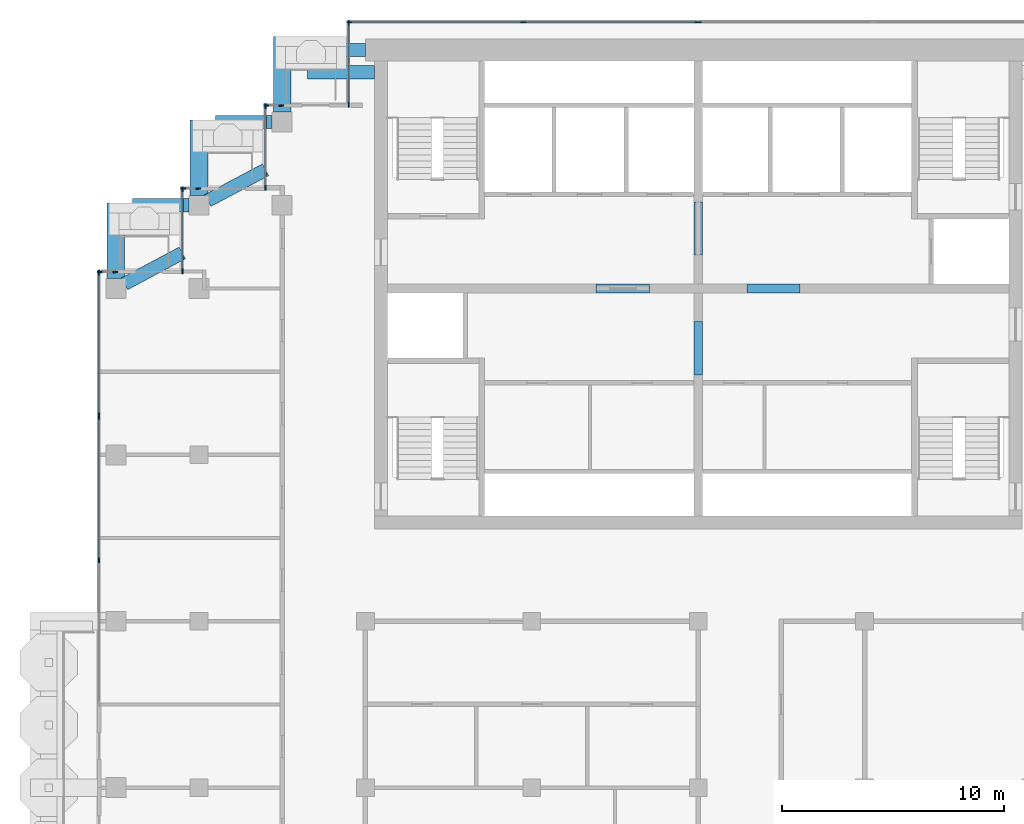
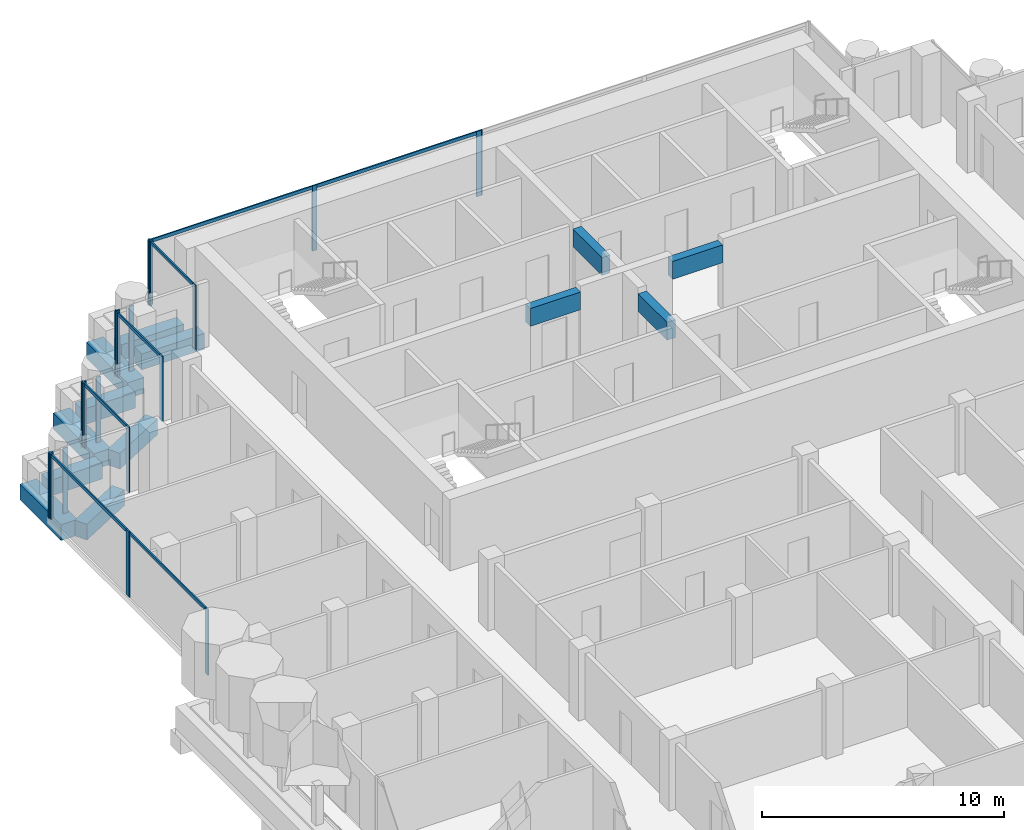
# One storey, part 5 of 19: 27 members, 13 beams, 10 elements without a shape of their own.
"""IFC4 building model written with IfcOpenShell, lengths in metres."""

from ifc_helpers import new_model, si_unit, direction, frame, origin, origin_2d, place, context, subcontext, project, spatial, rectangle, extrude, material, material_profile, profile_set, type_object, element, aggregate, save


model = new_model("IFC4")

# Units and contexts
model_context = context("Model", 3, precision=1e-05, world=origin(), true_north=direction((0.0, 1.0)))
body_context = subcontext(model_context, "Body", "Model", "MODEL_VIEW")
ifc_project = project(units=[si_unit("LENGTHUNIT", "METRE"), si_unit("AREAUNIT", "SQUARE_METRE"), si_unit("VOLUMEUNIT", "CUBIC_METRE"), si_unit("PLANEANGLEUNIT", "RADIAN"), si_unit("MASSUNIT", "GRAM", prefix="KILO")], contexts=[model_context])

# Site, building, storey
site_placement = place(None, origin())
site = spatial("IfcSite", under=ifc_project, at=site_placement, CompositionType="ELEMENT")
building_placement = place(site_placement, origin())
building = spatial("IfcBuilding", under=site, at=building_placement, Name="Pilkhan Gate Tower", CompositionType="ELEMENT")
storey_placement = place(building_placement, frame((0.0, 0.0, 246.300048828125)))
storey = spatial("IfcBuildingStorey", under=building, at=storey_placement, Name="L64", CompositionType="ELEMENT", Elevation=246.300048828125)

# Beams
ifc_material_1 = material(Name="Concrete C50/60", Category="concrete")
ifc_material_profile_1 = material_profile(ifc_material_1, rectangle(XDim=0.60009765625, YDim=0.800048828125, at=origin_2d()), Name="RC 600x800")
ifc_profile_set_1 = profile_set([ifc_material_profile_1], Name="Concrete C50/60")
beam_type_1 = type_object("IfcBeamType", Name="Cantilever beam CB1 RC 600x800 C50/60", PredefinedType="BEAM", material=ifc_profile_set_1)
for number, where, z_axis, x_axis, name in (
    (1, (60.0, 93.25, -0.699951171875), (-1.0, 0.0, 0.0), (0.0, -1.0, 0.0), "Balcony beam NW.2 L64"),
    (2, (60.39990234375, 92.25, -0.699951171875), (-1.0, 0.0, 0.0), (0.0, -1.0, 0.0), "Balcony beam NW.3 L64"),
):
    element("IfcBeam", number, at=place(storey_placement, frame(where, z_axis=z_axis, x_axis=x_axis)), inside=storey, type_object=beam_type_1, Name=name, PredefinedType="BEAM", context=body_context, shape_type="SweptSolid", body=[
        extrude(rectangle(XDim=0.60009765625, YDim=0.800048828125, at=origin_2d()), origin(), (0.0, 0.0, 1.0), 3.0),
    ])
beam_1_placement = place(storey_placement, frame((55.800048828125, 90.0, -0.699951171875), z_axis=(-1.0, 0.0, 0.0), x_axis=(0.0, -1.0, 0.0)))
element("IfcBeam", 3, at=beam_1_placement, inside=storey, type_object=beam_type_1, Name="Balcony beam NW1.2 L64", PredefinedType="BEAM", context=body_context, shape_type="SweptSolid", body=[
    extrude(rectangle(XDim=0.60009765625, YDim=0.800048828125, at=origin_2d()), origin(), (0.0, 0.0, 1.0), 2.550048828125),
])
beam_2_placement = place(storey_placement, frame((52.89697265625, 86.461669921875, -0.699951171875), z_axis=(0.882332323202, 0.470626891957, 0.0), x_axis=(-0.470626891957, 0.882332323202, 0.0)))
element("IfcBeam", 4, at=beam_2_placement, inside=storey, type_object=beam_type_1, Name="Balcony beam NW1.3 L64", PredefinedType="BEAM", context=body_context, shape_type="SweptSolid", body=[
    extrude(rectangle(XDim=0.60009765625, YDim=0.800048828125, at=origin_2d()), origin(), (0.0, 0.0, 1.0), 2.9501953125),
])
beam_3_placement = place(storey_placement, frame((52.050048828125, 86.25, -0.699951171875), z_axis=(-1.0, 0.0, 0.0), x_axis=(0.0, -1.0, 0.0)))
element("IfcBeam", 5, at=beam_3_placement, inside=storey, type_object=beam_type_1, Name="Balcony beam NW2.2 L64", PredefinedType="BEAM", context=body_context, shape_type="SweptSolid", body=[
    extrude(rectangle(XDim=0.60009765625, YDim=0.800048828125, at=origin_2d()), origin(), (0.0, 0.0, 1.0), 2.550048828125),
])
beam_4_placement = place(storey_placement, frame((49.14697265625, 82.711669921875, -0.699951171875), z_axis=(0.882332323202, 0.470626891957, 0.0), x_axis=(-0.470626891957, 0.882332323202, 0.0)))
element("IfcBeam", 6, at=beam_4_placement, inside=storey, type_object=beam_type_1, Name="Balcony beam NW2.3 L64", PredefinedType="BEAM", context=body_context, shape_type="SweptSolid", body=[
    extrude(rectangle(XDim=0.60009765625, YDim=0.800048828125, at=origin_2d()), origin(), (0.0, 0.0, 1.0), 2.9501953125),
])
ifc_material_profile_2 = material_profile(ifc_material_1, rectangle(XDim=0.800048828125, YDim=0.800048828125, at=origin_2d()), Name="RC 800x800")
ifc_profile_set_2 = profile_set([ifc_material_profile_2], Name="Concrete C50/60")
beam_type_2 = type_object("IfcBeamType", Name="Cantilever beam CB2 RC 800x800 C50/60", PredefinedType="BEAM", material=ifc_profile_set_2)
for number, where, z_axis, x_axis, name in (
    (7, (56.25, 90.449951171875, -0.699951171875), (0.0, 1.0, 0.0), (-1.0, 0.0, 0.0), "Balcony beam NW.1 L64"),
    (8, (52.5, 86.699951171875, -0.699951171875), (0.0, 1.0, 0.0), (-1.0, 0.0, 0.0), "Balcony beam NW1.1 L64"),
    (9, (48.75, 82.949951171875, -0.699951171875), (0.0, 1.0, 0.0), (-1.0, 0.0, 0.0), "Balcony beam NW2.1 L64"),
):
    element("IfcBeam", number, at=place(storey_placement, frame(where, z_axis=z_axis, x_axis=x_axis)), inside=storey, type_object=beam_type_2, Name=name, PredefinedType="BEAM", context=body_context, shape_type="SweptSolid", body=[
        extrude(rectangle(XDim=0.800048828125, YDim=0.800048828125, at=origin_2d()), origin(), (0.0, 0.0, 1.0), 3.400146484375),
    ])
ifc_material_profile_3 = material_profile(ifc_material_1, rectangle(XDim=0.39990234375, YDim=0.89990234375, at=origin_2d()), Name="RC 400x900")
ifc_profile_set_3 = profile_set([ifc_material_profile_3], Name="Concrete C50/60")
beam_type_3 = type_object("IfcBeamType", Name="Coupling beam CB90-4 RC 400x900 C50/60", PredefinedType="LINTEL", material=ifc_profile_set_3)
for number, where, z_axis, x_axis, name in (
    (10, (70.39990234375, 82.5, 2.849853515625), (1.0, 0.0, 0.0), (0.0, 1.0, 0.0), "Coupling beam 1 L64"),
    (11, (77.199951171875, 82.5, 2.849853515625), (1.0, 0.0, 0.0), (0.0, 1.0, 0.0), "Coupling beam 2 L64"),
):
    element("IfcBeam", number, at=place(storey_placement, frame(where, z_axis=z_axis, x_axis=x_axis)), inside=storey, type_object=beam_type_3, Name=name, PredefinedType="LINTEL", context=body_context, shape_type="SweptSolid", body=[
        extrude(rectangle(XDim=0.39990234375, YDim=0.89990234375, at=origin_2d()), origin(), (0.0, 0.0, 1.0), 2.400146484375),
    ])
for number, where, z_axis, x_axis, name in (
    (12, (75.0, 78.60009765625, 2.849853515625), (0.0, 1.0, 0.0), (-1.0, 0.0, 0.0), "Coupling beam 3 L64"),
    (13, (75.0, 84.0, 2.849853515625), (0.0, 1.0, 0.0), (-1.0, 0.0, 0.0), "Coupling beam 4 L64"),
):
    element("IfcBeam", number, at=place(storey_placement, frame(where, z_axis=z_axis, x_axis=x_axis)), inside=storey, type_object=beam_type_3, Name=name, PredefinedType="LINTEL", context=body_context, shape_type="SweptSolid", body=[
        extrude(rectangle(XDim=0.39990234375, YDim=0.89990234375, at=origin_2d()), origin(), (0.0, 0.0, 1.0), 2.39990234375),
    ])

# Curtain wall, members
ifc_material_2 = material(Name="Pale anodised aluminium, clear low-iron double glazing", Category="aluminium")
curtain_wall_type = type_object("IfcCurtainWallType", Name="Office unitised curtain wall CW-O2", PredefinedType="USERDEFINED", material=ifc_material_2)
curtain_wall_1_placement = place(storey_placement, origin())
curtain_wall_1 = element("IfcCurtainWall", 14, at=curtain_wall_1_placement, inside=storey, type_object=curtain_wall_type, Name="Office unitised curtain wall CW-O2 L64 N", ObjectType="UNITISED CURTAIN WALL", PredefinedType="USERDEFINED")
ifc_material_3 = material(Name="Pale anodised aluminium", Category="aluminium")
ifc_material_profile_4 = material_profile(ifc_material_3, rectangle(XDim=0.06494140625, YDim=0.22509765625, at=origin_2d()), Name="Mullion 225x65")
ifc_profile_set_4 = profile_set([ifc_material_profile_4], Name="Pale anodised aluminium")
member_type_1 = type_object("IfcMemberType", Name="Mullion CW-O2 225x65", PredefinedType="MULLION", material=ifc_profile_set_4)
member_1_placement = place(storey_placement, frame((59.282470703125, 94.5, 0.0), z_axis=(0.0, 0.0, 1.0), x_axis=(0.0, 1.0, 0.0)))
member_1 = element("IfcMember", 15, at=member_1_placement, type_object=member_type_1, Name="CW-O2 mullion 1", PredefinedType="MULLION", context=body_context, shape_type="SweptSolid", body=[
    extrude(rectangle(XDim=0.06494140625, YDim=0.22509765625, at=origin_2d()), origin(), (0.0, 0.0, 1.0), 3.300048828125),
])
member_2_placement = place(storey_placement, frame((67.125, 94.5, 0.0), z_axis=(0.0, 0.0, 1.0), x_axis=(0.0, 1.0, 0.0)))
member_2 = element("IfcMember", 16, at=member_2_placement, type_object=member_type_1, Name="CW-O2 mullion 2", PredefinedType="MULLION", context=body_context, shape_type="SweptSolid", body=[
    extrude(rectangle(XDim=0.06494140625, YDim=0.22509765625, at=origin_2d()), origin(), (0.0, 0.0, 1.0), 3.300048828125),
])
member_3_placement = place(storey_placement, frame((74.967529296875, 94.5, 0.0), z_axis=(0.0, 0.0, 1.0), x_axis=(0.0, 1.0, 0.0)))
member_3 = element("IfcMember", 17, at=member_3_placement, type_object=member_type_1, Name="CW-O2 mullion 3", PredefinedType="MULLION", context=body_context, shape_type="SweptSolid", body=[
    extrude(rectangle(XDim=0.06494140625, YDim=0.22509765625, at=origin_2d()), origin(), (0.0, 0.0, 1.0), 3.300048828125),
])

# Curtain wall, member
curtain_wall_2_placement = place(storey_placement, origin())
curtain_wall_2 = element("IfcCurtainWall", 18, at=curtain_wall_2_placement, inside=storey, type_object=curtain_wall_type, Name="Office unitised curtain wall CW-O2 L64 N", ObjectType="UNITISED CURTAIN WALL", PredefinedType="USERDEFINED")
member_4_placement = place(storey_placement, frame((75.032470703125, 94.5, 0.0), z_axis=(0.0, 0.0, 1.0), x_axis=(0.0, 1.0, 0.0)))
member_4 = element("IfcMember", 19, at=member_4_placement, type_object=member_type_1, Name="CW-O2 mullion 1", PredefinedType="MULLION", context=body_context, shape_type="SweptSolid", body=[
    extrude(rectangle(XDim=0.06494140625, YDim=0.22509765625, at=origin_2d()), origin(), (0.0, 0.0, 1.0), 3.300048828125),
])
aggregate(curtain_wall_2, [member_4])

# Curtain wall, members
curtain_wall_3_placement = place(storey_placement, origin())
curtain_wall_3 = element("IfcCurtainWall", 20, at=curtain_wall_3_placement, inside=storey, type_object=curtain_wall_type, Name="Office unitised curtain wall CW-O2 L64 W", ObjectType="UNITISED CURTAIN WALL", PredefinedType="USERDEFINED")
member_5_placement = place(storey_placement, frame((59.25, 90.782470703125, 0.0), z_axis=(0.0, 0.0, 1.0), x_axis=(-1.0, 0.0, 0.0)))
member_5 = element("IfcMember", 21, at=member_5_placement, type_object=member_type_1, Name="CW-O2 mullion 1", PredefinedType="MULLION", context=body_context, shape_type="SweptSolid", body=[
    extrude(rectangle(XDim=0.06494140625, YDim=0.22509765625, at=origin_2d()), origin(), (0.0, 0.0, 1.0), 3.300048828125),
])
member_6_placement = place(storey_placement, frame((59.25, 94.467529296875, 0.0), z_axis=(0.0, 0.0, 1.0), x_axis=(-1.0, 0.0, 0.0)))
member_6 = element("IfcMember", 22, at=member_6_placement, type_object=member_type_1, Name="CW-O2 mullion 2", PredefinedType="MULLION", context=body_context, shape_type="SweptSolid", body=[
    extrude(rectangle(XDim=0.06494140625, YDim=0.22509765625, at=origin_2d()), origin(), (0.0, 0.0, 1.0), 3.300048828125),
])

curtain_wall_4_placement = place(storey_placement, origin())
curtain_wall_4 = element("IfcCurtainWall", 23, at=curtain_wall_4_placement, inside=storey, type_object=curtain_wall_type, Name="Office unitised curtain wall CW-O2 L64 N", ObjectType="UNITISED CURTAIN WALL", PredefinedType="USERDEFINED")
member_7_placement = place(storey_placement, frame((55.532470703125, 90.75, 0.0), z_axis=(0.0, 0.0, 1.0), x_axis=(0.0, 1.0, 0.0)))
member_7 = element("IfcMember", 24, at=member_7_placement, type_object=member_type_1, Name="CW-O2 mullion 1", PredefinedType="MULLION", context=body_context, shape_type="SweptSolid", body=[
    extrude(rectangle(XDim=0.06494140625, YDim=0.22509765625, at=origin_2d()), origin(), (0.0, 0.0, 1.0), 3.300048828125),
])
member_8_placement = place(storey_placement, frame((56.217529296875, 90.75, 0.0), z_axis=(0.0, 0.0, 1.0), x_axis=(0.0, 1.0, 0.0)))
member_8 = element("IfcMember", 25, at=member_8_placement, type_object=member_type_1, Name="CW-O2 mullion 2", PredefinedType="MULLION", context=body_context, shape_type="SweptSolid", body=[
    extrude(rectangle(XDim=0.06494140625, YDim=0.22509765625, at=origin_2d()), origin(), (0.0, 0.0, 1.0), 3.300048828125),
])
aggregate(curtain_wall_4, [member_7, member_8])

curtain_wall_5_placement = place(storey_placement, origin())
curtain_wall_5 = element("IfcCurtainWall", 26, at=curtain_wall_5_placement, inside=storey, type_object=curtain_wall_type, Name="Office unitised curtain wall CW-O2 L64 W", ObjectType="UNITISED CURTAIN WALL", PredefinedType="USERDEFINED")
member_9_placement = place(storey_placement, frame((55.5, 87.032470703125, 0.0), z_axis=(0.0, 0.0, 1.0), x_axis=(-1.0, 0.0, 0.0)))
member_9 = element("IfcMember", 27, at=member_9_placement, type_object=member_type_1, Name="CW-O2 mullion 1", PredefinedType="MULLION", context=body_context, shape_type="SweptSolid", body=[
    extrude(rectangle(XDim=0.06494140625, YDim=0.22509765625, at=origin_2d()), origin(), (0.0, 0.0, 1.0), 3.300048828125),
])
member_10_placement = place(storey_placement, frame((55.5, 90.717529296875, 0.0), z_axis=(0.0, 0.0, 1.0), x_axis=(-1.0, 0.0, 0.0)))
member_10 = element("IfcMember", 28, at=member_10_placement, type_object=member_type_1, Name="CW-O2 mullion 2", PredefinedType="MULLION", context=body_context, shape_type="SweptSolid", body=[
    extrude(rectangle(XDim=0.06494140625, YDim=0.22509765625, at=origin_2d()), origin(), (0.0, 0.0, 1.0), 3.300048828125),
])

curtain_wall_6_placement = place(storey_placement, origin())
curtain_wall_6 = element("IfcCurtainWall", 29, at=curtain_wall_6_placement, inside=storey, type_object=curtain_wall_type, Name="Office unitised curtain wall CW-O2 L64 N", ObjectType="UNITISED CURTAIN WALL", PredefinedType="USERDEFINED")
member_11_placement = place(storey_placement, frame((51.782470703125, 87.0, 0.0), z_axis=(0.0, 0.0, 1.0), x_axis=(0.0, 1.0, 0.0)))
member_11 = element("IfcMember", 30, at=member_11_placement, type_object=member_type_1, Name="CW-O2 mullion 1", PredefinedType="MULLION", context=body_context, shape_type="SweptSolid", body=[
    extrude(rectangle(XDim=0.06494140625, YDim=0.22509765625, at=origin_2d()), origin(), (0.0, 0.0, 1.0), 3.300048828125),
])
member_12_placement = place(storey_placement, frame((52.467529296875, 87.0, 0.0), z_axis=(0.0, 0.0, 1.0), x_axis=(0.0, 1.0, 0.0)))
member_12 = element("IfcMember", 31, at=member_12_placement, type_object=member_type_1, Name="CW-O2 mullion 2", PredefinedType="MULLION", context=body_context, shape_type="SweptSolid", body=[
    extrude(rectangle(XDim=0.06494140625, YDim=0.22509765625, at=origin_2d()), origin(), (0.0, 0.0, 1.0), 3.300048828125),
])
aggregate(curtain_wall_6, [member_11, member_12])

curtain_wall_7_placement = place(storey_placement, origin())
curtain_wall_7 = element("IfcCurtainWall", 32, at=curtain_wall_7_placement, inside=storey, type_object=curtain_wall_type, Name="Office unitised curtain wall CW-O2 L64 W", ObjectType="UNITISED CURTAIN WALL", PredefinedType="USERDEFINED")
member_13_placement = place(storey_placement, frame((51.75, 83.282470703125, 0.0), z_axis=(0.0, 0.0, 1.0), x_axis=(-1.0, 0.0, 0.0)))
member_13 = element("IfcMember", 33, at=member_13_placement, type_object=member_type_1, Name="CW-O2 mullion 1", PredefinedType="MULLION", context=body_context, shape_type="SweptSolid", body=[
    extrude(rectangle(XDim=0.06494140625, YDim=0.22509765625, at=origin_2d()), origin(), (0.0, 0.0, 1.0), 3.300048828125),
])
member_14_placement = place(storey_placement, frame((51.75, 86.967529296875, 0.0), z_axis=(0.0, 0.0, 1.0), x_axis=(-1.0, 0.0, 0.0)))
member_14 = element("IfcMember", 34, at=member_14_placement, type_object=member_type_1, Name="CW-O2 mullion 2", PredefinedType="MULLION", context=body_context, shape_type="SweptSolid", body=[
    extrude(rectangle(XDim=0.06494140625, YDim=0.22509765625, at=origin_2d()), origin(), (0.0, 0.0, 1.0), 3.300048828125),
])

curtain_wall_8_placement = place(storey_placement, origin())
curtain_wall_8 = element("IfcCurtainWall", 35, at=curtain_wall_8_placement, inside=storey, type_object=curtain_wall_type, Name="Office unitised curtain wall CW-O2 L64 N", ObjectType="UNITISED CURTAIN WALL", PredefinedType="USERDEFINED")
member_15_placement = place(storey_placement, frame((48.032470703125, 83.25, 0.0), z_axis=(0.0, 0.0, 1.0), x_axis=(0.0, 1.0, 0.0)))
member_15 = element("IfcMember", 36, at=member_15_placement, type_object=member_type_1, Name="CW-O2 mullion 1", PredefinedType="MULLION", context=body_context, shape_type="SweptSolid", body=[
    extrude(rectangle(XDim=0.06494140625, YDim=0.22509765625, at=origin_2d()), origin(), (0.0, 0.0, 1.0), 3.300048828125),
])
member_16_placement = place(storey_placement, frame((48.717529296875, 83.25, 0.0), z_axis=(0.0, 0.0, 1.0), x_axis=(0.0, 1.0, 0.0)))
member_16 = element("IfcMember", 37, at=member_16_placement, type_object=member_type_1, Name="CW-O2 mullion 2", PredefinedType="MULLION", context=body_context, shape_type="SweptSolid", body=[
    extrude(rectangle(XDim=0.06494140625, YDim=0.22509765625, at=origin_2d()), origin(), (0.0, 0.0, 1.0), 3.300048828125),
])
aggregate(curtain_wall_8, [member_15, member_16])

curtain_wall_9_placement = place(storey_placement, origin())
curtain_wall_9 = element("IfcCurtainWall", 38, at=curtain_wall_9_placement, inside=storey, type_object=curtain_wall_type, Name="Office unitised curtain wall CW-O2 L64 W", ObjectType="UNITISED CURTAIN WALL", PredefinedType="USERDEFINED")
member_17_placement = place(storey_placement, frame((48.0, 70.25, 0.0), z_axis=(0.0, 0.0, 1.0), x_axis=(-1.0, 0.0, 0.0)))
member_17 = element("IfcMember", 39, at=member_17_placement, type_object=member_type_1, Name="CW-O2 mullion 2", PredefinedType="MULLION", context=body_context, shape_type="SweptSolid", body=[
    extrude(rectangle(XDim=0.06494140625, YDim=0.22509765625, at=origin_2d()), origin(), (0.0, 0.0, 1.0), 3.300048828125),
])
member_18_placement = place(storey_placement, frame((48.0, 76.717529296875, 0.0), z_axis=(0.0, 0.0, 1.0), x_axis=(-1.0, 0.0, 0.0)))
member_18 = element("IfcMember", 40, at=member_18_placement, type_object=member_type_1, Name="CW-O2 mullion 3", PredefinedType="MULLION", context=body_context, shape_type="SweptSolid", body=[
    extrude(rectangle(XDim=0.06494140625, YDim=0.22509765625, at=origin_2d()), origin(), (0.0, 0.0, 1.0), 3.300048828125),
])

curtain_wall_10_placement = place(storey_placement, origin())
curtain_wall_10 = element("IfcCurtainWall", 41, at=curtain_wall_10_placement, inside=storey, type_object=curtain_wall_type, Name="Office unitised curtain wall CW-O2 L64 W", ObjectType="UNITISED CURTAIN WALL", PredefinedType="USERDEFINED")
member_19_placement = place(storey_placement, frame((48.0, 76.782470703125, 0.0), z_axis=(0.0, 0.0, 1.0), x_axis=(-1.0, 0.0, 0.0)))
member_19 = element("IfcMember", 42, at=member_19_placement, type_object=member_type_1, Name="CW-O2 mullion 1", PredefinedType="MULLION", context=body_context, shape_type="SweptSolid", body=[
    extrude(rectangle(XDim=0.06494140625, YDim=0.22509765625, at=origin_2d()), origin(), (0.0, 0.0, 1.0), 3.300048828125),
])
member_20_placement = place(storey_placement, frame((48.0, 83.217529296875, 0.0), z_axis=(0.0, 0.0, 1.0), x_axis=(-1.0, 0.0, 0.0)))
member_20 = element("IfcMember", 43, at=member_20_placement, type_object=member_type_1, Name="CW-O2 mullion 2", PredefinedType="MULLION", context=body_context, shape_type="SweptSolid", body=[
    extrude(rectangle(XDim=0.06494140625, YDim=0.22509765625, at=origin_2d()), origin(), (0.0, 0.0, 1.0), 3.300048828125),
])

# Member
ifc_material_profile_5 = material_profile(ifc_material_3, rectangle(XDim=0.06494140625, YDim=0.1650390625, at=origin_2d()), Name="Transom 165x65")
ifc_profile_set_5 = profile_set([ifc_material_profile_5], Name="Pale anodised aluminium")
member_type_2 = type_object("IfcMemberType", Name="Transom CW-O2 165x65", PredefinedType="USERDEFINED", material=ifc_profile_set_5)
member_21_placement = place(storey_placement, frame((59.31494140625, 94.5, 3.217529296875), z_axis=(1.0, 0.0, 0.0), x_axis=(0.0, 1.0, 0.0)))
member_21 = element("IfcMember", 44, at=member_21_placement, type_object=member_type_2, Name="CW-O2 transom 1", ObjectType="TRANSOM", PredefinedType="USERDEFINED", context=body_context, shape_type="SweptSolid", body=[
    extrude(rectangle(XDim=0.06494140625, YDim=0.1650390625, at=origin_2d()), origin(), (0.0, 0.0, 1.0), 7.777587890625),
])

member_22_placement = place(storey_placement, frame((67.157470703125, 94.5, 3.217529296875), z_axis=(1.0, 0.0, 0.0), x_axis=(0.0, 1.0, 0.0)))
member_22 = element("IfcMember", 45, at=member_22_placement, type_object=member_type_2, Name="CW-O2 transom 2", ObjectType="TRANSOM", PredefinedType="USERDEFINED", context=body_context, shape_type="SweptSolid", body=[
    extrude(rectangle(XDim=0.06494140625, YDim=0.1650390625, at=origin_2d()), origin(), (0.0, 0.0, 1.0), 7.777587890625),
])

aggregate(curtain_wall_1, [member_1, member_2, member_3, member_21, member_22])

member_23_placement = place(storey_placement, frame((59.25, 90.81494140625, 3.217529296875), z_axis=(0.0, 1.0, 0.0), x_axis=(-1.0, 0.0, 0.0)))
member_23 = element("IfcMember", 46, at=member_23_placement, type_object=member_type_2, Name="CW-O2 transom 1", ObjectType="TRANSOM", PredefinedType="USERDEFINED", context=body_context, shape_type="SweptSolid", body=[
    extrude(rectangle(XDim=0.06494140625, YDim=0.1650390625, at=origin_2d()), origin(), (0.0, 0.0, 1.0), 3.6201171875),
])

aggregate(curtain_wall_3, [member_5, member_6, member_23])

member_24_placement = place(storey_placement, frame((55.5, 87.06494140625, 3.217529296875), z_axis=(0.0, 1.0, 0.0), x_axis=(-1.0, 0.0, 0.0)))
member_24 = element("IfcMember", 47, at=member_24_placement, type_object=member_type_2, Name="CW-O2 transom 1", ObjectType="TRANSOM", PredefinedType="USERDEFINED", context=body_context, shape_type="SweptSolid", body=[
    extrude(rectangle(XDim=0.06494140625, YDim=0.1650390625, at=origin_2d()), origin(), (0.0, 0.0, 1.0), 3.6201171875),
])

aggregate(curtain_wall_5, [member_9, member_10, member_24])

member_25_placement = place(storey_placement, frame((51.75, 83.31494140625, 3.217529296875), z_axis=(0.0, 1.0, 0.0), x_axis=(-1.0, 0.0, 0.0)))
member_25 = element("IfcMember", 48, at=member_25_placement, type_object=member_type_2, Name="CW-O2 transom 1", ObjectType="TRANSOM", PredefinedType="USERDEFINED", context=body_context, shape_type="SweptSolid", body=[
    extrude(rectangle(XDim=0.06494140625, YDim=0.1650390625, at=origin_2d()), origin(), (0.0, 0.0, 1.0), 3.6201171875),
])

aggregate(curtain_wall_7, [member_13, member_14, member_25])

member_26_placement = place(storey_placement, frame((48.0, 70.282470703125, 3.217529296875), z_axis=(0.0, 1.0, 0.0), x_axis=(-1.0, 0.0, 0.0)))
member_26 = element("IfcMember", 49, at=member_26_placement, type_object=member_type_2, Name="CW-O2 transom 2", ObjectType="TRANSOM", PredefinedType="USERDEFINED", context=body_context, shape_type="SweptSolid", body=[
    extrude(rectangle(XDim=0.06494140625, YDim=0.1650390625, at=origin_2d()), origin(), (0.0, 0.0, 1.0), 6.402587890625),
])

aggregate(curtain_wall_9, [member_17, member_18, member_26])

member_27_placement = place(storey_placement, frame((48.0, 76.81494140625, 3.217529296875), z_axis=(0.0, 1.0, 0.0), x_axis=(-1.0, 0.0, 0.0)))
member_27 = element("IfcMember", 50, at=member_27_placement, type_object=member_type_2, Name="CW-O2 transom 1", ObjectType="TRANSOM", PredefinedType="USERDEFINED", context=body_context, shape_type="SweptSolid", body=[
    extrude(rectangle(XDim=0.06494140625, YDim=0.1650390625, at=origin_2d()), origin(), (0.0, 0.0, 1.0), 6.3701171875),
])

aggregate(curtain_wall_10, [member_19, member_20, member_27])

save(model, "model.ifc")
